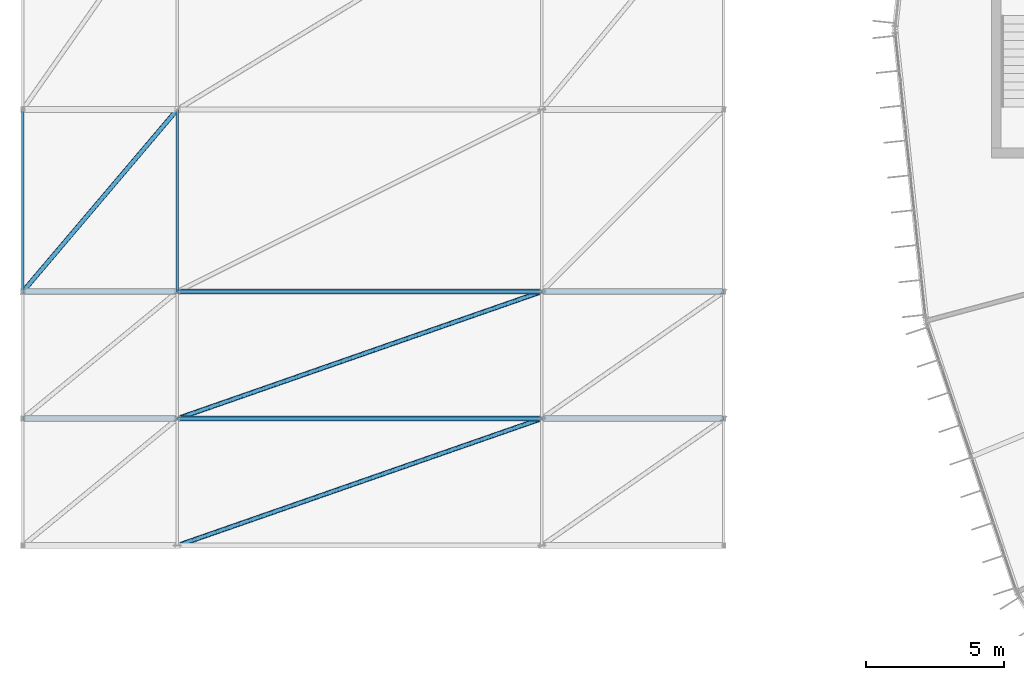
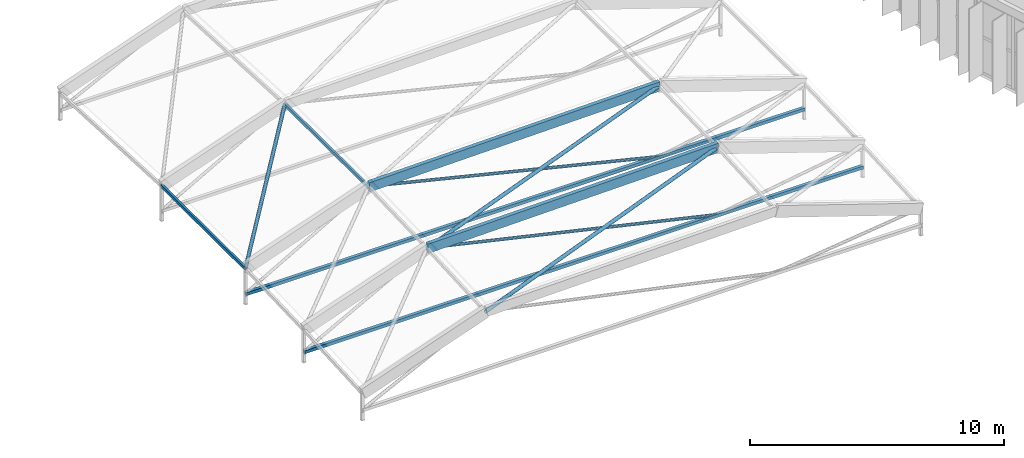
# One storey, part 31 of 134: 11 members.
"""IFC4 building model written with IfcOpenShell, lengths in metres."""

from ifc_helpers import new_model, si_unit, direction, frame, origin, origin_2d, place, context, subcontext, project, spatial, rectangle, hollow_rectangle, hollow_circle, extrude, material, material_profile, profile_set, type_object, element, save


model = new_model("IFC4")

# Units and contexts
model_context = context("Model", 3, precision=1e-05, world=origin(), true_north=direction((0.0, 1.0)))
body_context = subcontext(model_context, "Body", "Model", "MODEL_VIEW")
ifc_project = project(units=[si_unit("LENGTHUNIT", "METRE"), si_unit("AREAUNIT", "SQUARE_METRE"), si_unit("VOLUMEUNIT", "CUBIC_METRE"), si_unit("PLANEANGLEUNIT", "RADIAN"), si_unit("MASSUNIT", "GRAM", prefix="KILO")], contexts=[model_context])

# Site, building, storey
site_placement = place(None, origin())
site = spatial("IfcSite", under=ifc_project, at=site_placement, CompositionType="ELEMENT")
building_placement = place(site_placement, origin())
building = spatial("IfcBuilding", under=site, at=building_placement, Name="Karori Crest Natural Sciences Institute", CompositionType="ELEMENT")
storey_placement = place(building_placement, frame((0.0, 0.0, 21.699951171875)))
storey = spatial("IfcBuildingStorey", under=building, at=storey_placement, Name="L05", CompositionType="ELEMENT", Elevation=21.699951171875)

# Members
ifc_material_1 = material(Name="Hollow structural steel AS/NZS 1163 Grade C350", Category="steel")
ifc_material_profile_1 = material_profile(ifc_material_1, hollow_circle(Radius=0.084228515625, WallThickness=0.007080078125, at=origin_2d()), Name="CHS168.3x7.1")
ifc_profile_set_1 = profile_set([ifc_material_profile_1], Name="Hollow structural steel AS/NZS 1163 Grade C350")
member_type_1 = type_object("IfcMemberType", Name="MT-03", PredefinedType="BRACE", material=ifc_profile_set_1)
member_1_placement = place(storey_placement, frame((7.39990234375, 31.199951171875, 2.869384765625), z_axis=(0.943723945987, 0.328875612012, 0.035013505875), x_axis=(-0.329077389361, 0.944302955524, 0.0)))
element("IfcMember", 1, at=member_1_placement, inside=storey, type_object=member_type_1, Name="Diagonal Brace M-0361", PredefinedType="BRACE", context=body_context, shape_type="SweptSolid", body=[
    extrude(hollow_circle(Radius=0.084228515625, WallThickness=0.007080078125, at=origin_2d()), origin(), (0.0, 0.0, 1.0), 13.9873046875),
])
member_2_placement = place(storey_placement, frame((7.39990234375, 35.800048828125, 3.1259765625), z_axis=(0.943925492135, 0.328928390126, 0.028474189496), x_axis=(-0.329061815457, 0.944308382684, 0.0)))
element("IfcMember", 2, at=member_2_placement, inside=storey, type_object=member_type_1, Name="Diagonal Brace M-0377", PredefinedType="BRACE", context=body_context, shape_type="SweptSolid", body=[
    extrude(hollow_circle(Radius=0.084228515625, WallThickness=0.007080078125, at=origin_2d()), origin(), (0.0, 0.0, 1.0), 13.984375),
])
member_3_placement = place(storey_placement, frame((1.800048828125, 40.39990234375, 1.331787109375), z_axis=(0.631467332177, 0.744259835989, 0.217546098394), x_axis=(-0.762522206678, 0.646962042412, 0.0)))
element("IfcMember", 3, at=member_3_placement, inside=storey, type_object=member_type_1, Name="Diagonal Brace M-0389", PredefinedType="BRACE", context=body_context, shape_type="SweptSolid", body=[
    extrude(hollow_circle(Radius=0.084228515625, WallThickness=0.007080078125, at=origin_2d()), origin(), (0.0, 0.0, 1.0), 8.867919921875),
])
ifc_material_profile_2 = material_profile(ifc_material_1, hollow_rectangle(XDim=0.10009765625, YDim=0.14990234375, WallThickness=0.006103515625, at=origin_2d()), Name="RHS150x100x6")
ifc_profile_set_2 = profile_set([ifc_material_profile_2], Name="Hollow structural steel AS/NZS 1163 Grade C350")
member_type_2 = type_object("IfcMemberType", Name="MT-11", PredefinedType="PURLIN", material=ifc_profile_set_2)
for number, where, z_axis, x_axis, name in (
    (4, (1.800048828125, 40.39990234375, 1.331787109375), (0.0, 0.999989649702, -0.004549779053), (-1.0, 0.0, 0.0), "Member M-0388"),
    (5, (7.39990234375, 40.39990234375, 3.291015625), (0.0, 0.999989649702, -0.004549779053), (-1.0, 0.0, 0.0), "Member M-0392"),
):
    element("IfcMember", number, at=place(storey_placement, frame(where, z_axis=z_axis, x_axis=x_axis)), inside=storey, type_object=member_type_2, Name=name, PredefinedType="PURLIN", context=body_context, shape_type="SweptSolid", body=[
        extrude(hollow_rectangle(XDim=0.10009765625, YDim=0.14990234375, WallThickness=0.006103515625, at=origin_2d()), origin(), (0.0, 0.0, 1.0), 6.60009765625),
    ])
ifc_material_profile_3 = material_profile(ifc_material_1, hollow_rectangle(XDim=0.14990234375, YDim=0.14990234375, WallThickness=0.009033203125, at=origin_2d()), Name="SHS150x150x9")
ifc_profile_set_3 = profile_set([ifc_material_profile_3], Name="Hollow structural steel AS/NZS 1163 Grade C350")
member_type_3 = type_object("IfcMemberType", Name="MT-13-IL", PredefinedType="CHORD", material=ifc_profile_set_3)
for number, where, z_axis, x_axis, name in (
    (6, (1.800048828125, 35.800048828125, 0.1201171875), (1.0, 0.0, 0.0), (0.0, 1.0, 0.0), "Member M-0369"),
    (7, (1.800048828125, 40.39990234375, 0.1201171875), (1.0, 0.0, 0.0), (0.0, 1.0, 0.0), "Member M-0385"),
):
    element("IfcMember", number, at=place(storey_placement, frame(where, z_axis=z_axis, x_axis=x_axis)), inside=storey, type_object=member_type_3, Name=name, PredefinedType="CHORD", context=body_context, shape_type="SweptSolid", body=[
        extrude(hollow_rectangle(XDim=0.14990234375, YDim=0.14990234375, WallThickness=0.009033203125, at=origin_2d()), origin(), (0.0, 0.0, 1.0), 25.39990234375),
    ])
ifc_material_2 = material(Name="Glulam GL12", Category="wood")
ifc_material_profile_4 = material_profile(ifc_material_2, rectangle(XDim=0.179931640625, YDim=0.449951171875, at=origin_2d()), Name="GL180x450")
ifc_profile_set_4 = profile_set([ifc_material_profile_4], Name="Glulam GL12")
member_type_4 = type_object("IfcMemberType", Name="MT-17", PredefinedType="USERDEFINED", material=ifc_profile_set_4)
for number, where, z_axis, x_axis, name in (
    (8, (7.39990234375, 35.800048828125, 3.14599609375), (0.999844046713, 0.0, 0.017660188367), (0.0, 1.0, 0.0), "Member M-0374"),
    (9, (7.39990234375, 40.39990234375, 3.31103515625), (0.999844046713, 0.0, 0.017660188367), (0.0, 1.0, 0.0), "Member M-0390"),
):
    element("IfcMember", number, at=place(storey_placement, frame(where, z_axis=z_axis, x_axis=x_axis)), inside=storey, type_object=member_type_4, Name=name, ObjectType="ARCH_SEGMENT", PredefinedType="USERDEFINED", context=body_context, shape_type="SweptSolid", body=[
        extrude(rectangle(XDim=0.179931640625, YDim=0.449951171875, at=origin_2d()), origin(), (0.0, 0.0, 1.0), 13.2021484375),
    ])
ifc_material_profile_5 = material_profile(ifc_material_1, hollow_circle(Radius=0.06982421875, WallThickness=0.00634765625, at=origin_2d()), Name="CHS139.7x6.4")
ifc_profile_set_5 = profile_set([ifc_material_profile_5], Name="Hollow structural steel AS/NZS 1163 Grade C350")
member_type_5 = type_object("IfcMemberType", Name="MT-18-IL", PredefinedType="STRUT", material=ifc_profile_set_5)
member_4_placement = place(storey_placement, frame((20.60009765625, 35.800048828125, 0.1201171875), z_axis=(-0.974718905688, 0.0, 0.22343467702), x_axis=(0.0, -1.0, 0.0)))
element("IfcMember", 10, at=member_4_placement, inside=storey, type_object=member_type_5, Name="Member M-0375", PredefinedType="STRUT", context=body_context, shape_type="SweptSolid", body=[
    extrude(hollow_circle(Radius=0.06982421875, WallThickness=0.00634765625, at=origin_2d()), origin(), (0.0, 0.0, 1.0), 13.54248046875),
])
member_5_placement = place(storey_placement, frame((20.60009765625, 40.39990234375, 0.1201171875), z_axis=(-0.972003821276, 0.0, 0.234965042984), x_axis=(0.0, -1.0, 0.0)))
element("IfcMember", 11, at=member_5_placement, inside=storey, type_object=member_type_5, Name="Member M-0391", PredefinedType="STRUT", context=body_context, shape_type="SweptSolid", body=[
    extrude(hollow_circle(Radius=0.06982421875, WallThickness=0.00634765625, at=origin_2d()), origin(), (0.0, 0.0, 1.0), 13.580322265625),
])

save(model, "model.ifc")
